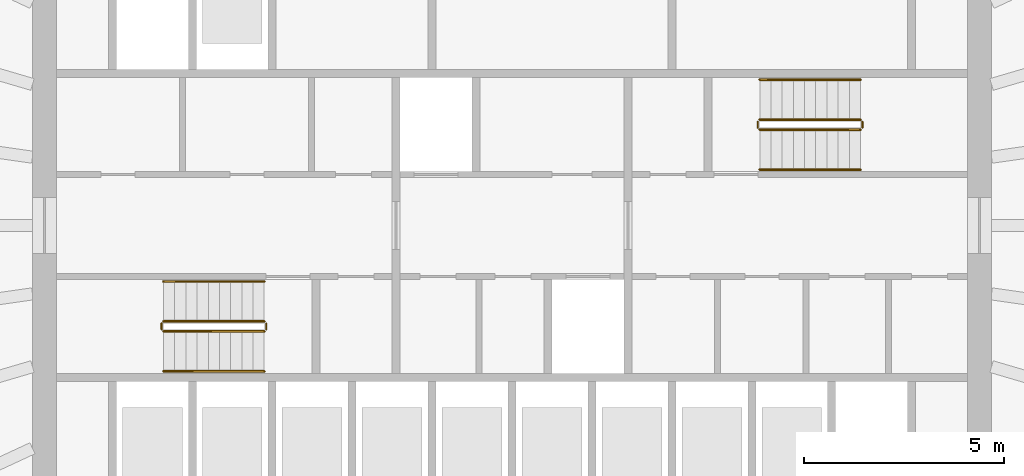
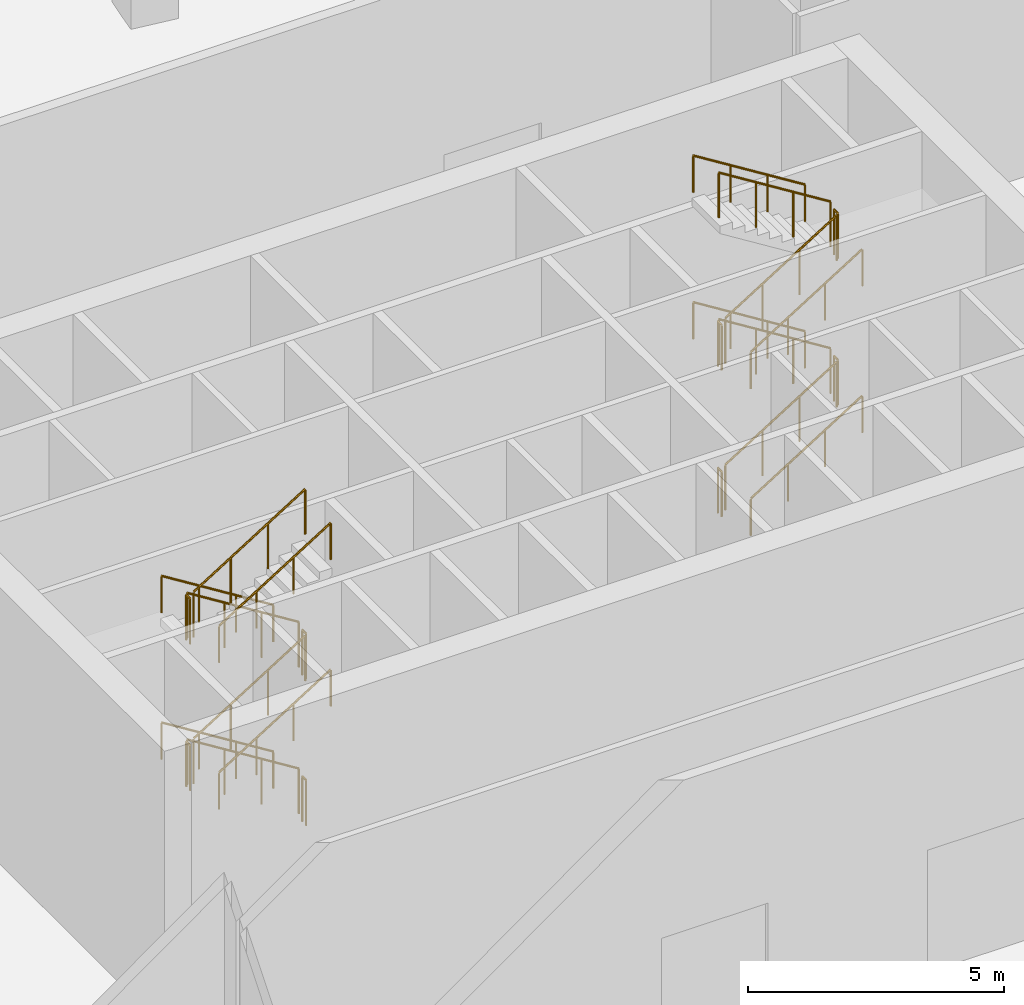
# One storey, part 9 of 10: 24 railings.
"""IFC4 building model written with IfcOpenShell, lengths in metres."""

import ifcopenshell
import ifcopenshell.guid

model = None  # the IFC model being written
_history = None  # IfcOwnerHistory: only IFC2X3 demands one
_inside = {}  # id of a spatial element -> (the spatial element, [elements in it])
_under = {}  # id of a project, library or spatial element -> (it, [spatial elements below it])
_declared = {}  # id of a project -> (the project, [libraries it declares])
_typed = {}  # id of a type object -> (the type object, [elements of that type])
_made_of = {}  # id of a material, layer set ... -> (it, [elements and type objects made of it])


def new_model(schema):
    """Start an empty IFC model of exactly this schema.

    Asked for "IFC4X3", IfcOpenShell would pick the latest addendum, in which some entities
    have other attributes; the version numbers below select the first issue.
    IFC2X3 requires an IfcOwnerHistory on every rooted entity: one is made here for all.
    """
    global model, _history
    if schema == "IFC4X3":
        model = ifcopenshell.file(schema_version=(4, 3, 0, 0))
    else:
        model = ifcopenshell.file(schema=schema)
    _inside.clear()
    _under.clear()
    _declared.clear()
    _typed.clear()
    _made_of.clear()
    _history = None
    if model.schema == "IFC2X3":
        org = make("IfcOrganization", Name="unknown")
        user = make(
            "IfcPersonAndOrganization",
            ThePerson=make("IfcPerson", FamilyName="unknown"),
            TheOrganization=org,
        )
        app = make(
            "IfcApplication",
            ApplicationDeveloper=org,
            Version="unknown",
            ApplicationFullName="unknown",
            ApplicationIdentifier="unknown",
        )
        _history = make(
            "IfcOwnerHistory",
            OwningUser=user,
            OwningApplication=app,
            ChangeAction="ADDED",
            CreationDate=0,
        )
    return model


def make(cls, **values):
    """One entity of the class cls with the attributes given. An attribute that is None is left unset."""
    return model.create_entity(
        cls, **{name: value for name, value in values.items() if value is not None}
    )


def rooted(cls, **values):
    """An entity with a GlobalId (a new one), such as an element, a storey or a relation."""
    return make(cls, GlobalId=ifcopenshell.guid.new(), OwnerHistory=_history, **values)


def si_unit(unit_type, name, prefix=None):
    """IfcSIUnit, for example si_unit("LENGTHUNIT", "METRE", prefix="MILLI")."""
    return make("IfcSIUnit", UnitType=unit_type, Prefix=prefix, Name=name)


def assignment(units):
    """IfcUnitAssignment: the units of a project."""
    return None if units is None else make("IfcUnitAssignment", Units=units)


def point(xyz):
    """IfcCartesianPoint."""
    return None if xyz is None else make("IfcCartesianPoint", Coordinates=xyz)


def direction(xyz):
    """IfcDirection."""
    return None if xyz is None else make("IfcDirection", DirectionRatios=xyz)


def frame(location, z_axis=None, x_axis=None):
    """IfcAxis2Placement3D, a coordinate frame: its origin and axes. An axis left out is left unset."""
    return make(
        "IfcAxis2Placement3D",
        Location=point(location),
        Axis=direction(z_axis),
        RefDirection=direction(x_axis),
    )


def frame_2d(location, x_axis=None):
    """IfcAxis2Placement2D, a coordinate frame in the plane: its origin and x axis."""
    return make(
        "IfcAxis2Placement2D", Location=point(location), RefDirection=direction(x_axis)
    )


def origin():
    """The frame at (0, 0, 0) with its axes left unset."""
    return frame((0.0, 0.0, 0.0))


def origin_2d():
    """The frame at (0, 0) in the plane with its x axis left unset."""
    return frame_2d((0.0, 0.0))


def place(relative_to, where):
    """IfcLocalPlacement: puts the frame where relative to a parent placement (None: the world)."""
    return make(
        "IfcLocalPlacement", PlacementRelTo=relative_to, RelativePlacement=where
    )


def context(
    kind, dimensions, precision=None, world=None, true_north=None, identifier=None
):
    """IfcGeometricRepresentationContext, for example the 3D "Model" context."""
    return make(
        "IfcGeometricRepresentationContext",
        ContextIdentifier=identifier,
        ContextType=kind,
        CoordinateSpaceDimension=dimensions,
        Precision=precision,
        WorldCoordinateSystem=world,
        TrueNorth=true_north,
    )


def subcontext(parent, identifier, kind, view, scale=None):
    """IfcGeometricRepresentationSubContext, for example "Body" below "Model"."""
    return make(
        "IfcGeometricRepresentationSubContext",
        ContextIdentifier=identifier,
        ContextType=kind,
        ParentContext=parent,
        TargetScale=scale,
        TargetView=view,
    )


def project(units=None, contexts=None):
    """IfcProject with its units and contexts."""
    return rooted(
        "IfcProject",
        Name="project",
        RepresentationContexts=contexts,
        UnitsInContext=assignment(units),
    )


def spatial(cls, under=None, at=None, **own):
    """A site, building, storey or space (cls), placed at a placement, below another one or the project."""
    s = rooted(cls, ObjectPlacement=at, **own)
    if under is not None:
        _under.setdefault(under.id(), (under, []))[1].append(s)
    return s


def profile(cls, at=None, kind="AREA", **sizes):
    """A parametric profile (cls). Its sizes go by their IFC names, for example OverallWidth=200.0."""
    return make(cls, ProfileType=kind, Position=at, **sizes)


def circle(**sizes):
    """IfcCircleProfileDef."""
    return profile("IfcCircleProfileDef", **sizes)


def extrude(swept, where, along, depth):
    """IfcExtrudedAreaSolid: the profile swept, set in the frame where, extruded along a direction by depth."""
    return make(
        "IfcExtrudedAreaSolid",
        SweptArea=swept,
        Position=where,
        ExtrudedDirection=direction(along),
        Depth=depth,
    )


def shape(context_of_items, identifier, shape_type, items):
    """IfcShapeRepresentation: the items that make up one representation, for example the "Body"."""
    return make(
        "IfcShapeRepresentation",
        ContextOfItems=context_of_items,
        RepresentationIdentifier=identifier,
        RepresentationType=shape_type,
        Items=items,
    )


def material(Name=None, Category=None):
    """IfcMaterial."""
    return make("IfcMaterial", Name=Name, Category=Category)


def made_of(thing, what):
    """Note that an element or type object is made of a material, layer set ...; save() writes the relation."""
    if what is not None:
        _made_of.setdefault(what.id(), (what, []))[1].append(thing)
    return thing


def type_object(cls, material=None, **own):
    """A type object (cls), such as IfcWallType, which elements share."""
    return made_of(rooted(cls, **own), material)


def element(
    cls,
    number,
    at=None,
    inside=None,
    cuts=None,
    type_object=None,
    material=None,
    context=None,
    identifier="Body",
    shape_type=None,
    held_by="IfcProductDefinitionShape",
    body=None,
    shapes=None,
    **own,
):
    """One element of the class cls, such as IfcWall. Its Tag is "e" and its number.

    at: its placement. inside: the storey or other place that contains it. cuts: it is an
    opening in that element (IfcRelVoidsElement). A single representation is given by context,
    identifier, shape_type and body (its items); several are given by shapes. held_by: the class
    of the entity that holds the representations. save() writes the other relations.
    """
    e = rooted(cls, Tag="e%d" % number, ObjectPlacement=at, **own)
    if body is not None:
        shapes = [shape(context, identifier, shape_type, body)]
    if shapes is not None:
        e.Representation = make(held_by, Representations=shapes)
    if inside is not None:
        _inside.setdefault(inside.id(), (inside, []))[1].append(e)
    if cuts is not None:
        rooted(
            "IfcRelVoidsElement", RelatingBuildingElement=cuts, RelatedOpeningElement=e
        )
    if type_object is not None:
        _typed.setdefault(type_object.id(), (type_object, []))[1].append(e)
    return made_of(e, material)


def aggregate(whole, parts):
    """IfcRelAggregates: a whole, such as a stair, and the parts it consists of."""
    return rooted("IfcRelAggregates", RelatingObject=whole, RelatedObjects=parts)


def save(model, path):
    """Write the relations noted so far, then the file.

    IfcRelAggregates (storeys below a building ...), IfcRelContainedInSpatialStructure (elements
    in a storey), IfcRelDefinesByType, IfcRelAssociatesMaterial and IfcRelDeclares: one each for
    every whole, place, type object, material and project.
    """
    for whole, parts in _under.values():
        aggregate(whole, parts)
    for where, things in _inside.values():
        rooted(
            "IfcRelContainedInSpatialStructure",
            RelatedElements=things,
            RelatingStructure=where,
        )
    for kind, things in _typed.values():
        rooted("IfcRelDefinesByType", RelatedObjects=things, RelatingType=kind)
    for what, things in _made_of.values():
        rooted("IfcRelAssociatesMaterial", RelatedObjects=things, RelatingMaterial=what)
    for by, libraries in _declared.values():
        rooted("IfcRelDeclares", RelatingContext=by, RelatedDefinitions=libraries)
    model.write(path)


model = new_model("IFC4")

# Units and contexts
model_context = context("Model", 3, precision=1e-05, world=origin(), true_north=direction((0.0, 1.0)))
body_context = subcontext(model_context, "Body", "Model", "MODEL_VIEW")
ifc_project = project(units=[si_unit("LENGTHUNIT", "METRE"), si_unit("AREAUNIT", "SQUARE_METRE"), si_unit("VOLUMEUNIT", "CUBIC_METRE"), si_unit("PLANEANGLEUNIT", "RADIAN"), si_unit("MASSUNIT", "GRAM", prefix="KILO")], contexts=[model_context])

# Site, building, storey
site_placement = place(None, origin())
site = spatial("IfcSite", under=ifc_project, at=site_placement, CompositionType="ELEMENT")
building_placement = place(site_placement, origin())
building = spatial("IfcBuilding", under=site, at=building_placement, Name="Siaravel Broadcast Tower", CompositionType="ELEMENT")
storey_placement = place(building_placement, origin())
storey = spatial("IfcBuildingStorey", under=building, at=storey_placement, Name="L00", CompositionType="ELEMENT", Elevation=0.0)

# Railings
ifc_material = material(Name="Stainless steel 316L", Category="steel")
railing_type_1 = type_object("IfcRailingType", Name="Stair guard 1100", PredefinedType="GUARDRAIL", material=ifc_material)
railing_1_placement = place(storey_placement, frame((-6.199951171875, -2.39990234375, 0.175048828125)))
element("IfcRailing", 1, at=railing_1_placement, inside=storey, type_object=railing_type_1, Name="L00 ST-1 stair guard 1", PredefinedType="GUARDRAIL", context=body_context, shape_type="SweptSolid", body=[
    extrude(circle(Radius=0.02392578125, at=origin_2d()), frame((0.0, 0.0, 1.076171875), z_axis=(-0.848007535, 0.0, 0.52998417), x_axis=(0.0, -1.0, 0.0)), (0.0, 0.0, 1.0), 2.9716796875),
    extrude(circle(Radius=0.02099609375, at=origin_2d()), origin(), (0.0, 0.0, 1.0), 1.052001953125),
    extrude(circle(Radius=0.02099609375, at=origin_2d()), frame((-0.840087890625, 0.0, 0.52490234375)), (0.0, 0.0, 1.0), 1.052001953125),
    extrude(circle(Radius=0.02099609375, at=origin_2d()), frame((-1.679931640625, 0.0, 1.050048828125)), (0.0, 0.0, 1.0), 1.052001953125),
    extrude(circle(Radius=0.02099609375, at=origin_2d()), frame((-2.52001953125, 0.0, 1.574951171875)), (0.0, 0.0, 1.0), 1.052001953125),
])
railing_2_placement = place(storey_placement, frame((-8.77001953125, -2.449951171875, 1.75)))
element("IfcRailing", 2, at=railing_2_placement, inside=storey, type_object=railing_type_1, Name="L00 ST-1 stair guard 2", PredefinedType="GUARDRAIL", context=body_context, shape_type="SweptSolid", body=[
    extrude(circle(Radius=0.02392578125, at=origin_2d()), frame((0.0, 0.0, 1.076171875), z_axis=(0.0, -1.0, 0.0), x_axis=(1.0, 0.0, 0.0)), (0.0, 0.0, 1.0), 0.150146484375),
    extrude(circle(Radius=0.02099609375, at=origin_2d()), origin(), (0.0, 0.0, 1.0), 1.052001953125),
    extrude(circle(Radius=0.02099609375, at=origin_2d()), frame((0.0, -0.150146484375, 0.0)), (0.0, 0.0, 1.0), 1.052001953125),
])
railing_3_placement = place(storey_placement, frame((-8.719970703125, -2.64990234375, 1.925048828125)))
element("IfcRailing", 3, at=railing_3_placement, inside=storey, type_object=railing_type_1, Name="L00 ST-1 stair guard 3", PredefinedType="GUARDRAIL", context=body_context, shape_type="SweptSolid", body=[
    extrude(circle(Radius=0.02392578125, at=origin_2d()), frame((0.0, 0.0, 1.076171875), z_axis=(0.848007535, 0.0, 0.52998417), x_axis=(0.0, 1.0, 0.0)), (0.0, 0.0, 1.0), 2.9716796875),
    extrude(circle(Radius=0.02099609375, at=origin_2d()), origin(), (0.0, 0.0, 1.0), 1.052001953125),
    extrude(circle(Radius=0.02099609375, at=origin_2d()), frame((0.840087890625, 0.0, 0.52490234375)), (0.0, 0.0, 1.0), 1.052001953125),
    extrude(circle(Radius=0.02099609375, at=origin_2d()), frame((1.679931640625, 0.0, 1.050048828125)), (0.0, 0.0, 1.0), 1.052001953125),
    extrude(circle(Radius=0.02099609375, at=origin_2d()), frame((2.52001953125, 0.0, 1.574951171875)), (0.0, 0.0, 1.0), 1.052001953125),
])
railing_4_placement = place(storey_placement, frame((-6.14990234375, -2.449951171875, 3.5)))
element("IfcRailing", 4, at=railing_4_placement, inside=storey, type_object=railing_type_1, Name="L00 ST-1 stair guard 4", PredefinedType="GUARDRAIL", context=body_context, shape_type="SweptSolid", body=[
    extrude(circle(Radius=0.02392578125, at=origin_2d()), frame((0.0, 0.0, 1.076171875), z_axis=(0.0, -1.0, 0.0), x_axis=(1.0, 0.0, 0.0)), (0.0, 0.0, 1.0), 0.150146484375),
    extrude(circle(Radius=0.02099609375, at=origin_2d()), origin(), (0.0, 0.0, 1.0), 1.052001953125),
    extrude(circle(Radius=0.02099609375, at=origin_2d()), frame((0.0, -0.150146484375, 0.0)), (0.0, 0.0, 1.0), 1.052001953125),
])
railing_5_placement = place(storey_placement, frame((-6.199951171875, -2.39990234375, 3.675048828125)))
element("IfcRailing", 5, at=railing_5_placement, inside=storey, type_object=railing_type_1, Name="L00 ST-1 stair guard 5", PredefinedType="GUARDRAIL", context=body_context, shape_type="SweptSolid", body=[
    extrude(circle(Radius=0.02392578125, at=origin_2d()), frame((0.0, 0.0, 1.076171875), z_axis=(-0.848007535, 0.0, 0.52998417), x_axis=(0.0, -1.0, 0.0)), (0.0, 0.0, 1.0), 2.9716796875),
    extrude(circle(Radius=0.02099609375, at=origin_2d()), origin(), (0.0, 0.0, 1.0), 1.052001953125),
    extrude(circle(Radius=0.02099609375, at=origin_2d()), frame((-0.840087890625, 0.0, 0.52490234375)), (0.0, 0.0, 1.0), 1.052001953125),
    extrude(circle(Radius=0.02099609375, at=origin_2d()), frame((-1.679931640625, 0.0, 1.050048828125)), (0.0, 0.0, 1.0), 1.052001953125),
    extrude(circle(Radius=0.02099609375, at=origin_2d()), frame((-2.52001953125, 0.0, 1.574951171875)), (0.0, 0.0, 1.0), 1.052001953125),
])
railing_6_placement = place(storey_placement, frame((-8.77001953125, -2.449951171875, 5.25)))
element("IfcRailing", 6, at=railing_6_placement, inside=storey, type_object=railing_type_1, Name="L00 ST-1 stair guard 6", PredefinedType="GUARDRAIL", context=body_context, shape_type="SweptSolid", body=[
    extrude(circle(Radius=0.02392578125, at=origin_2d()), frame((0.0, 0.0, 1.076171875), z_axis=(0.0, -1.0, 0.0), x_axis=(1.0, 0.0, 0.0)), (0.0, 0.0, 1.0), 0.150146484375),
    extrude(circle(Radius=0.02099609375, at=origin_2d()), origin(), (0.0, 0.0, 1.0), 1.052001953125),
    extrude(circle(Radius=0.02099609375, at=origin_2d()), frame((0.0, -0.150146484375, 0.0)), (0.0, 0.0, 1.0), 1.052001953125),
])
railing_7_placement = place(storey_placement, frame((-8.719970703125, -2.64990234375, 5.425048828125)))
element("IfcRailing", 7, at=railing_7_placement, inside=storey, type_object=railing_type_1, Name="L00 ST-1 stair guard 7", PredefinedType="GUARDRAIL", context=body_context, shape_type="SweptSolid", body=[
    extrude(circle(Radius=0.02392578125, at=origin_2d()), frame((0.0, 0.0, 1.076171875), z_axis=(0.848007535, 0.0, 0.52998417), x_axis=(0.0, 1.0, 0.0)), (0.0, 0.0, 1.0), 2.9716796875),
    extrude(circle(Radius=0.02099609375, at=origin_2d()), origin(), (0.0, 0.0, 1.0), 1.052001953125),
    extrude(circle(Radius=0.02099609375, at=origin_2d()), frame((0.840087890625, 0.0, 0.52490234375)), (0.0, 0.0, 1.0), 1.052001953125),
    extrude(circle(Radius=0.02099609375, at=origin_2d()), frame((1.679931640625, 0.0, 1.050048828125)), (0.0, 0.0, 1.0), 1.052001953125),
    extrude(circle(Radius=0.02099609375, at=origin_2d()), frame((2.52001953125, 0.0, 1.574951171875)), (0.0, 0.0, 1.0), 1.052001953125),
])
railing_8_placement = place(storey_placement, frame((-6.14990234375, -2.449951171875, 0.0)))
element("IfcRailing", 8, at=railing_8_placement, inside=storey, type_object=railing_type_1, Name="L00 ST-1 stair guard 8", PredefinedType="GUARDRAIL", context=body_context, shape_type="SweptSolid", body=[
    extrude(circle(Radius=0.02392578125, at=origin_2d()), frame((0.0, 0.0, 1.076171875), z_axis=(0.0, -1.0, 0.0), x_axis=(1.0, 0.0, 0.0)), (0.0, 0.0, 1.0), 0.150146484375),
    extrude(circle(Radius=0.02099609375, at=origin_2d()), origin(), (0.0, 0.0, 1.0), 1.052001953125),
    extrude(circle(Radius=0.02099609375, at=origin_2d()), frame((0.0, -0.150146484375, 0.0)), (0.0, 0.0, 1.0), 1.052001953125),
])
railing_9_placement = place(storey_placement, frame((6.199951171875, 2.39990234375, 0.175048828125)))
element("IfcRailing", 9, at=railing_9_placement, inside=storey, type_object=railing_type_1, Name="L00 ST-2 stair guard 1", PredefinedType="GUARDRAIL", context=body_context, shape_type="SweptSolid", body=[
    extrude(circle(Radius=0.02392578125, at=origin_2d()), frame((0.0, 0.0, 1.076171875), z_axis=(0.848007535, 0.0, 0.52998417), x_axis=(0.0, 1.0, 0.0)), (0.0, 0.0, 1.0), 2.9716796875),
    extrude(circle(Radius=0.02099609375, at=origin_2d()), origin(), (0.0, 0.0, 1.0), 1.052001953125),
    extrude(circle(Radius=0.02099609375, at=origin_2d()), frame((0.840087890625, 0.0, 0.52490234375)), (0.0, 0.0, 1.0), 1.052001953125),
    extrude(circle(Radius=0.02099609375, at=origin_2d()), frame((1.679931640625, 0.0, 1.050048828125)), (0.0, 0.0, 1.0), 1.052001953125),
    extrude(circle(Radius=0.02099609375, at=origin_2d()), frame((2.52001953125, 0.0, 1.574951171875)), (0.0, 0.0, 1.0), 1.052001953125),
])
railing_10_placement = place(storey_placement, frame((8.77001953125, 2.449951171875, 1.75)))
element("IfcRailing", 10, at=railing_10_placement, inside=storey, type_object=railing_type_1, Name="L00 ST-2 stair guard 2", PredefinedType="GUARDRAIL", context=body_context, shape_type="SweptSolid", body=[
    extrude(circle(Radius=0.02392578125, at=origin_2d()), frame((0.0, 0.0, 1.076171875), z_axis=(0.0, 1.0, 0.0), x_axis=(-1.0, 0.0, 0.0)), (0.0, 0.0, 1.0), 0.150146484375),
    extrude(circle(Radius=0.02099609375, at=origin_2d()), origin(), (0.0, 0.0, 1.0), 1.052001953125),
    extrude(circle(Radius=0.02099609375, at=origin_2d()), frame((0.0, 0.150146484375, 0.0)), (0.0, 0.0, 1.0), 1.052001953125),
])
railing_11_placement = place(storey_placement, frame((8.719970703125, 2.64990234375, 1.925048828125)))
element("IfcRailing", 11, at=railing_11_placement, inside=storey, type_object=railing_type_1, Name="L00 ST-2 stair guard 3", PredefinedType="GUARDRAIL", context=body_context, shape_type="SweptSolid", body=[
    extrude(circle(Radius=0.02392578125, at=origin_2d()), frame((0.0, 0.0, 1.076171875), z_axis=(-0.848007535, 0.0, 0.52998417), x_axis=(0.0, -1.0, 0.0)), (0.0, 0.0, 1.0), 2.9716796875),
    extrude(circle(Radius=0.02099609375, at=origin_2d()), origin(), (0.0, 0.0, 1.0), 1.052001953125),
    extrude(circle(Radius=0.02099609375, at=origin_2d()), frame((-0.840087890625, 0.0, 0.52490234375)), (0.0, 0.0, 1.0), 1.052001953125),
    extrude(circle(Radius=0.02099609375, at=origin_2d()), frame((-1.679931640625, 0.0, 1.050048828125)), (0.0, 0.0, 1.0), 1.052001953125),
    extrude(circle(Radius=0.02099609375, at=origin_2d()), frame((-2.52001953125, 0.0, 1.574951171875)), (0.0, 0.0, 1.0), 1.052001953125),
])
railing_12_placement = place(storey_placement, frame((6.14990234375, 2.449951171875, 3.5)))
element("IfcRailing", 12, at=railing_12_placement, inside=storey, type_object=railing_type_1, Name="L00 ST-2 stair guard 4", PredefinedType="GUARDRAIL", context=body_context, shape_type="SweptSolid", body=[
    extrude(circle(Radius=0.02392578125, at=origin_2d()), frame((0.0, 0.0, 1.076171875), z_axis=(0.0, 1.0, 0.0), x_axis=(-1.0, 0.0, 0.0)), (0.0, 0.0, 1.0), 0.150146484375),
    extrude(circle(Radius=0.02099609375, at=origin_2d()), origin(), (0.0, 0.0, 1.0), 1.052001953125),
    extrude(circle(Radius=0.02099609375, at=origin_2d()), frame((0.0, 0.150146484375, 0.0)), (0.0, 0.0, 1.0), 1.052001953125),
])
railing_13_placement = place(storey_placement, frame((6.199951171875, 2.39990234375, 3.675048828125)))
element("IfcRailing", 13, at=railing_13_placement, inside=storey, type_object=railing_type_1, Name="L00 ST-2 stair guard 5", PredefinedType="GUARDRAIL", context=body_context, shape_type="SweptSolid", body=[
    extrude(circle(Radius=0.02392578125, at=origin_2d()), frame((0.0, 0.0, 1.076171875), z_axis=(0.848007535, 0.0, 0.52998417), x_axis=(0.0, 1.0, 0.0)), (0.0, 0.0, 1.0), 2.9716796875),
    extrude(circle(Radius=0.02099609375, at=origin_2d()), origin(), (0.0, 0.0, 1.0), 1.052001953125),
    extrude(circle(Radius=0.02099609375, at=origin_2d()), frame((0.840087890625, 0.0, 0.52490234375)), (0.0, 0.0, 1.0), 1.052001953125),
    extrude(circle(Radius=0.02099609375, at=origin_2d()), frame((1.679931640625, 0.0, 1.050048828125)), (0.0, 0.0, 1.0), 1.052001953125),
    extrude(circle(Radius=0.02099609375, at=origin_2d()), frame((2.52001953125, 0.0, 1.574951171875)), (0.0, 0.0, 1.0), 1.052001953125),
])
railing_14_placement = place(storey_placement, frame((8.77001953125, 2.449951171875, 5.25)))
element("IfcRailing", 14, at=railing_14_placement, inside=storey, type_object=railing_type_1, Name="L00 ST-2 stair guard 6", PredefinedType="GUARDRAIL", context=body_context, shape_type="SweptSolid", body=[
    extrude(circle(Radius=0.02392578125, at=origin_2d()), frame((0.0, 0.0, 1.076171875), z_axis=(0.0, 1.0, 0.0), x_axis=(-1.0, 0.0, 0.0)), (0.0, 0.0, 1.0), 0.150146484375),
    extrude(circle(Radius=0.02099609375, at=origin_2d()), origin(), (0.0, 0.0, 1.0), 1.052001953125),
    extrude(circle(Radius=0.02099609375, at=origin_2d()), frame((0.0, 0.150146484375, 0.0)), (0.0, 0.0, 1.0), 1.052001953125),
])
railing_15_placement = place(storey_placement, frame((8.719970703125, 2.64990234375, 5.425048828125)))
element("IfcRailing", 15, at=railing_15_placement, inside=storey, type_object=railing_type_1, Name="L00 ST-2 stair guard 7", PredefinedType="GUARDRAIL", context=body_context, shape_type="SweptSolid", body=[
    extrude(circle(Radius=0.02392578125, at=origin_2d()), frame((0.0, 0.0, 1.076171875), z_axis=(-0.848007535, 0.0, 0.52998417), x_axis=(0.0, -1.0, 0.0)), (0.0, 0.0, 1.0), 2.9716796875),
    extrude(circle(Radius=0.02099609375, at=origin_2d()), origin(), (0.0, 0.0, 1.0), 1.052001953125),
    extrude(circle(Radius=0.02099609375, at=origin_2d()), frame((-0.840087890625, 0.0, 0.52490234375)), (0.0, 0.0, 1.0), 1.052001953125),
    extrude(circle(Radius=0.02099609375, at=origin_2d()), frame((-1.679931640625, 0.0, 1.050048828125)), (0.0, 0.0, 1.0), 1.052001953125),
    extrude(circle(Radius=0.02099609375, at=origin_2d()), frame((-2.52001953125, 0.0, 1.574951171875)), (0.0, 0.0, 1.0), 1.052001953125),
])
railing_16_placement = place(storey_placement, frame((6.14990234375, 2.449951171875, 0.0)))
element("IfcRailing", 16, at=railing_16_placement, inside=storey, type_object=railing_type_1, Name="L00 ST-2 stair guard 8", PredefinedType="GUARDRAIL", context=body_context, shape_type="SweptSolid", body=[
    extrude(circle(Radius=0.02392578125, at=origin_2d()), frame((0.0, 0.0, 1.076171875), z_axis=(0.0, 1.0, 0.0), x_axis=(-1.0, 0.0, 0.0)), (0.0, 0.0, 1.0), 0.150146484375),
    extrude(circle(Radius=0.02099609375, at=origin_2d()), origin(), (0.0, 0.0, 1.0), 1.052001953125),
    extrude(circle(Radius=0.02099609375, at=origin_2d()), frame((0.0, 0.150146484375, 0.0)), (0.0, 0.0, 1.0), 1.052001953125),
])
railing_type_2 = type_object("IfcRailingType", Name="Stair handrail 900", PredefinedType="HANDRAIL", material=ifc_material)
railing_17_placement = place(storey_placement, frame((-6.199951171875, -1.39990234375, 0.175048828125)))
element("IfcRailing", 17, at=railing_17_placement, inside=storey, type_object=railing_type_2, Name="L00 ST-1 stair handrail 1", PredefinedType="HANDRAIL", context=body_context, shape_type="SweptSolid", body=[
    extrude(circle(Radius=0.02392578125, at=origin_2d()), frame((0.0, 0.0, 0.8759765625), z_axis=(-0.848007535, 0.0, 0.52998417), x_axis=(0.0, -1.0, 0.0)), (0.0, 0.0, 1.0), 2.9716796875),
    extrude(circle(Radius=0.02099609375, at=origin_2d()), origin(), (0.0, 0.0, 1.0), 0.851806640625),
    extrude(circle(Radius=0.02099609375, at=origin_2d()), frame((-0.840087890625, 0.0, 0.52490234375)), (0.0, 0.0, 1.0), 0.851806640625),
    extrude(circle(Radius=0.02099609375, at=origin_2d()), frame((-1.679931640625, 0.0, 1.050048828125)), (0.0, 0.0, 1.0), 0.851806640625),
    extrude(circle(Radius=0.02099609375, at=origin_2d()), frame((-2.52001953125, 0.0, 1.574951171875)), (0.0, 0.0, 1.0), 0.851806640625),
])
railing_18_placement = place(storey_placement, frame((-8.719970703125, -3.64990234375, 1.925048828125)))
element("IfcRailing", 18, at=railing_18_placement, inside=storey, type_object=railing_type_2, Name="L00 ST-1 stair handrail 2", PredefinedType="HANDRAIL", context=body_context, shape_type="SweptSolid", body=[
    extrude(circle(Radius=0.02392578125, at=origin_2d()), frame((0.0, 0.0, 0.8759765625), z_axis=(0.848007535, 0.0, 0.52998417), x_axis=(0.0, 1.0, 0.0)), (0.0, 0.0, 1.0), 2.9716796875),
    extrude(circle(Radius=0.02099609375, at=origin_2d()), origin(), (0.0, 0.0, 1.0), 0.851806640625),
    extrude(circle(Radius=0.02099609375, at=origin_2d()), frame((0.840087890625, 0.0, 0.52490234375)), (0.0, 0.0, 1.0), 0.851806640625),
    extrude(circle(Radius=0.02099609375, at=origin_2d()), frame((1.679931640625, 0.0, 1.050048828125)), (0.0, 0.0, 1.0), 0.851806640625),
    extrude(circle(Radius=0.02099609375, at=origin_2d()), frame((2.52001953125, 0.0, 1.574951171875)), (0.0, 0.0, 1.0), 0.851806640625),
])
railing_19_placement = place(storey_placement, frame((-6.199951171875, -1.39990234375, 3.675048828125)))
element("IfcRailing", 19, at=railing_19_placement, inside=storey, type_object=railing_type_2, Name="L00 ST-1 stair handrail 3", PredefinedType="HANDRAIL", context=body_context, shape_type="SweptSolid", body=[
    extrude(circle(Radius=0.02392578125, at=origin_2d()), frame((0.0, 0.0, 0.8759765625), z_axis=(-0.848007535, 0.0, 0.52998417), x_axis=(0.0, -1.0, 0.0)), (0.0, 0.0, 1.0), 2.9716796875),
    extrude(circle(Radius=0.02099609375, at=origin_2d()), origin(), (0.0, 0.0, 1.0), 0.851806640625),
    extrude(circle(Radius=0.02099609375, at=origin_2d()), frame((-0.840087890625, 0.0, 0.52490234375)), (0.0, 0.0, 1.0), 0.851806640625),
    extrude(circle(Radius=0.02099609375, at=origin_2d()), frame((-1.679931640625, 0.0, 1.050048828125)), (0.0, 0.0, 1.0), 0.851806640625),
    extrude(circle(Radius=0.02099609375, at=origin_2d()), frame((-2.52001953125, 0.0, 1.574951171875)), (0.0, 0.0, 1.0), 0.851806640625),
])
for number, where, name in (
    (20, (-8.719970703125, -3.64990234375, 5.425048828125), "L00 ST-1 stair handrail 4"),
    (21, (6.199951171875, 1.39990234375, 0.175048828125), "L00 ST-2 stair handrail 1"),
):
    element("IfcRailing", number, at=place(storey_placement, frame(where)), inside=storey, type_object=railing_type_2, Name=name, PredefinedType="HANDRAIL", context=body_context, shape_type="SweptSolid", body=[
        extrude(circle(Radius=0.02392578125, at=origin_2d()), frame((0.0, 0.0, 0.8759765625), z_axis=(0.848007535, 0.0, 0.52998417), x_axis=(0.0, 1.0, 0.0)), (0.0, 0.0, 1.0), 2.9716796875),
        extrude(circle(Radius=0.02099609375, at=origin_2d()), origin(), (0.0, 0.0, 1.0), 0.851806640625),
        extrude(circle(Radius=0.02099609375, at=origin_2d()), frame((0.840087890625, 0.0, 0.52490234375)), (0.0, 0.0, 1.0), 0.851806640625),
        extrude(circle(Radius=0.02099609375, at=origin_2d()), frame((1.679931640625, 0.0, 1.050048828125)), (0.0, 0.0, 1.0), 0.851806640625),
        extrude(circle(Radius=0.02099609375, at=origin_2d()), frame((2.52001953125, 0.0, 1.574951171875)), (0.0, 0.0, 1.0), 0.851806640625),
    ])
railing_20_placement = place(storey_placement, frame((8.719970703125, 3.64990234375, 1.925048828125)))
element("IfcRailing", 22, at=railing_20_placement, inside=storey, type_object=railing_type_2, Name="L00 ST-2 stair handrail 2", PredefinedType="HANDRAIL", context=body_context, shape_type="SweptSolid", body=[
    extrude(circle(Radius=0.02392578125, at=origin_2d()), frame((0.0, 0.0, 0.8759765625), z_axis=(-0.848007535, 0.0, 0.52998417), x_axis=(0.0, -1.0, 0.0)), (0.0, 0.0, 1.0), 2.9716796875),
    extrude(circle(Radius=0.02099609375, at=origin_2d()), origin(), (0.0, 0.0, 1.0), 0.851806640625),
    extrude(circle(Radius=0.02099609375, at=origin_2d()), frame((-0.840087890625, 0.0, 0.52490234375)), (0.0, 0.0, 1.0), 0.851806640625),
    extrude(circle(Radius=0.02099609375, at=origin_2d()), frame((-1.679931640625, 0.0, 1.050048828125)), (0.0, 0.0, 1.0), 0.851806640625),
    extrude(circle(Radius=0.02099609375, at=origin_2d()), frame((-2.52001953125, 0.0, 1.574951171875)), (0.0, 0.0, 1.0), 0.851806640625),
])
railing_21_placement = place(storey_placement, frame((6.199951171875, 1.39990234375, 3.675048828125)))
element("IfcRailing", 23, at=railing_21_placement, inside=storey, type_object=railing_type_2, Name="L00 ST-2 stair handrail 3", PredefinedType="HANDRAIL", context=body_context, shape_type="SweptSolid", body=[
    extrude(circle(Radius=0.02392578125, at=origin_2d()), frame((0.0, 0.0, 0.8759765625), z_axis=(0.848007535, 0.0, 0.52998417), x_axis=(0.0, 1.0, 0.0)), (0.0, 0.0, 1.0), 2.9716796875),
    extrude(circle(Radius=0.02099609375, at=origin_2d()), origin(), (0.0, 0.0, 1.0), 0.851806640625),
    extrude(circle(Radius=0.02099609375, at=origin_2d()), frame((0.840087890625, 0.0, 0.52490234375)), (0.0, 0.0, 1.0), 0.851806640625),
    extrude(circle(Radius=0.02099609375, at=origin_2d()), frame((1.679931640625, 0.0, 1.050048828125)), (0.0, 0.0, 1.0), 0.851806640625),
    extrude(circle(Radius=0.02099609375, at=origin_2d()), frame((2.52001953125, 0.0, 1.574951171875)), (0.0, 0.0, 1.0), 0.851806640625),
])
railing_22_placement = place(storey_placement, frame((8.719970703125, 3.64990234375, 5.425048828125)))
element("IfcRailing", 24, at=railing_22_placement, inside=storey, type_object=railing_type_2, Name="L00 ST-2 stair handrail 4", PredefinedType="HANDRAIL", context=body_context, shape_type="SweptSolid", body=[
    extrude(circle(Radius=0.02392578125, at=origin_2d()), frame((0.0, 0.0, 0.8759765625), z_axis=(-0.848007535, 0.0, 0.52998417), x_axis=(0.0, -1.0, 0.0)), (0.0, 0.0, 1.0), 2.9716796875),
    extrude(circle(Radius=0.02099609375, at=origin_2d()), origin(), (0.0, 0.0, 1.0), 0.851806640625),
    extrude(circle(Radius=0.02099609375, at=origin_2d()), frame((-0.840087890625, 0.0, 0.52490234375)), (0.0, 0.0, 1.0), 0.851806640625),
    extrude(circle(Radius=0.02099609375, at=origin_2d()), frame((-1.679931640625, 0.0, 1.050048828125)), (0.0, 0.0, 1.0), 0.851806640625),
    extrude(circle(Radius=0.02099609375, at=origin_2d()), frame((-2.52001953125, 0.0, 1.574951171875)), (0.0, 0.0, 1.0), 0.851806640625),
])

save(model, "model.ifc")
